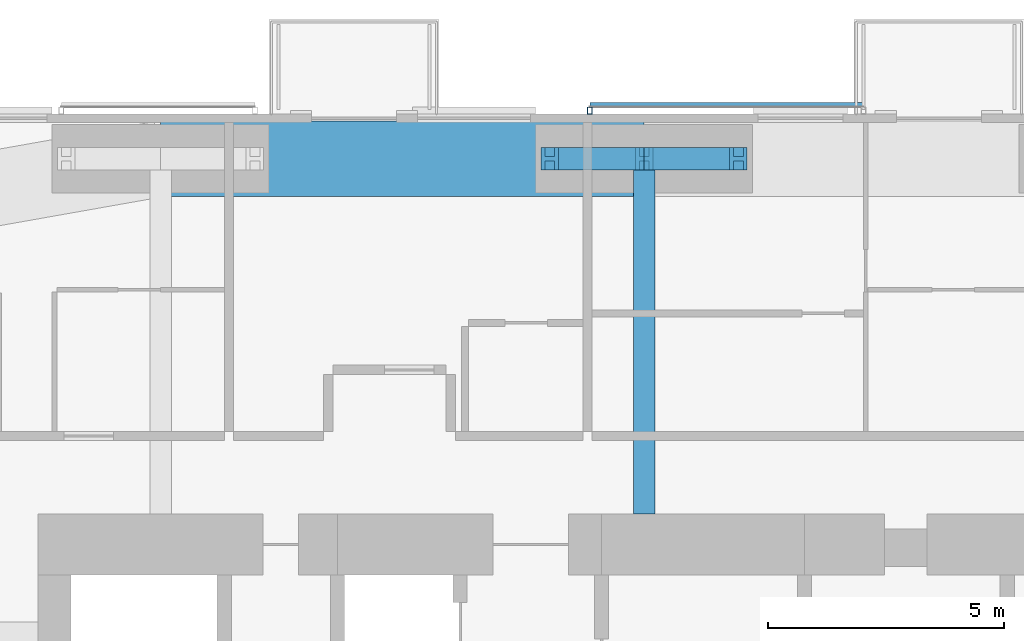
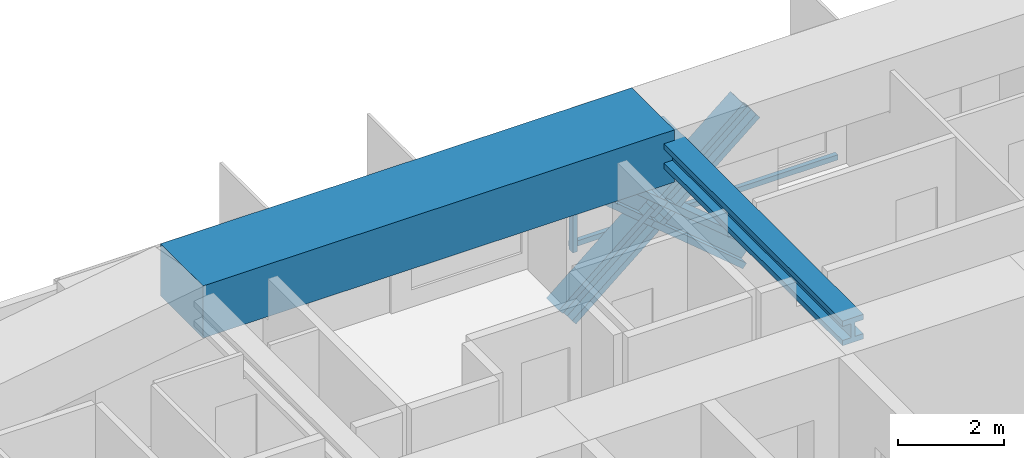
# One storey, part 11 of 23: 6 members, 2 beams, 1 element without a shape of its own.
"""IFC4 building model written with IfcOpenShell, lengths in metres."""

from ifc_helpers import new_model, si_unit, direction, frame, origin, origin_2d, place, context, subcontext, project, spatial, rectangle, hollow_rectangle, i_section, extrude, material, material_profile, profile_set, type_object, element, aggregate, save


model = new_model("IFC4")

# Units and contexts
model_context = context("Model", 3, precision=1e-05, world=origin(), true_north=direction((0.0, 1.0)))
body_context = subcontext(model_context, "Body", "Model", "MODEL_VIEW")
ifc_project = project(units=[si_unit("LENGTHUNIT", "METRE"), si_unit("AREAUNIT", "SQUARE_METRE"), si_unit("VOLUMEUNIT", "CUBIC_METRE"), si_unit("PLANEANGLEUNIT", "RADIAN"), si_unit("MASSUNIT", "GRAM", prefix="KILO")], contexts=[model_context])

# Site, building, storey
site_placement = place(None, origin())
site = spatial("IfcSite", under=ifc_project, at=site_placement, CompositionType="ELEMENT")
building_placement = place(site_placement, origin())
building = spatial("IfcBuilding", under=site, at=building_placement, Name="Jalousie Tower", CompositionType="ELEMENT")
storey_placement = place(building_placement, frame((0.0, 0.0, 171.10009765625)))
storey = spatial("IfcBuildingStorey", under=building, at=storey_placement, Name="L46", CompositionType="ELEMENT", Elevation=171.10009765625)

# Beam
ifc_material_1 = material(Name="Steel ASTM A992 Grade 50", Category="steel")
ifc_material_profile_1 = material_profile(ifc_material_1, i_section(OverallWidth=0.45458984375, OverallDepth=0.569091796875, WebThickness=0.077880859375, FlangeThickness=0.124755859375, at=origin_2d()), Name="W14X730")
ifc_profile_set_1 = profile_set([ifc_material_profile_1], Name="Steel ASTM A992 Grade 50")
beam_type_1 = type_object("IfcBeamType", Name="LEAN COLLECTOR W14X730", PredefinedType="BEAM", material=ifc_profile_set_1)
beam_1_placement = place(storey_placement, frame((32.5, 35.050048828125, 2.825439453125), z_axis=(0.0, -1.0, 0.0), x_axis=(1.0, 0.0, 0.0)))
element("IfcBeam", 1, at=beam_1_placement, inside=storey, type_object=beam_type_1, Name="Lean collector under L47", PredefinedType="BEAM", context=body_context, shape_type="SweptSolid", body=[
    extrude(i_section(OverallWidth=0.45458984375, OverallDepth=0.569091796875, WebThickness=0.077880859375, FlangeThickness=0.124755859375, at=origin_2d()), origin(), (0.0, 0.0, 1.0), 7.525146484375),
])

# Members
ifc_material_2 = material(Name="Steel ASTM A992 Grade 50", Category="steel")
ifc_material_profile_2 = material_profile(ifc_material_2, i_section(OverallWidth=0.472412109375, OverallDepth=0.5791015625, WebThickness=0.094970703125, FlangeThickness=0.1298828125, at=origin_2d()), Name="W14X808")
ifc_profile_set_2 = profile_set([ifc_material_profile_2], Name="Steel ASTM A992 Grade 50")
member_type_1 = type_object("IfcMemberType", Name="PERIMETER BRACE W14X808", PredefinedType="BRACE", material=ifc_profile_set_2)
for number, where, z_axis, x_axis, name in (
    (2, (30.5, 35.050048828125, -0.60009765625), (0.766638753323, 0.0, 0.642078672674), (0.0, 1.0, 0.0), "Perimeter brace 10 L46 part 1"),
    (3, (32.5, 35.050048828125, 1.074951171875), (0.766638753323, 0.0, 0.642078672674), (0.0, 1.0, 0.0), "Perimeter brace 10 L46 part 2"),
    (4, (34.5, 35.050048828125, -0.60009765625), (-0.766638753323, 0.0, 0.642078672674), (0.0, -1.0, 0.0), "Perimeter brace 10 L46 part 3"),
    (5, (32.5, 35.050048828125, 1.074951171875), (-0.766638753323, 0.0, 0.642078672674), (0.0, -1.0, 0.0), "Perimeter brace 10 L46 part 4"),
):
    element("IfcMember", number, at=place(storey_placement, frame(where, z_axis=z_axis, x_axis=x_axis)), inside=storey, type_object=member_type_1, Name=name, PredefinedType="BRACE", context=body_context, shape_type="SweptSolid", body=[
        extrude(i_section(OverallWidth=0.472412109375, OverallDepth=0.5791015625, WebThickness=0.094970703125, FlangeThickness=0.1298828125, at=origin_2d()), origin(), (0.0, 0.0, 1.0), 2.60888671875),
    ])

# Beam
ifc_material_3 = material(Name="Concrete f'c 40 MPa", Category="concrete")
ifc_material_profile_3 = material_profile(ifc_material_3, rectangle(XDim=1.60009765625, YDim=1.199951171875, at=origin_2d()), Name="RC 1600x1200")
ifc_profile_set_3 = profile_set([ifc_material_profile_3], Name="Concrete f'c 40 MPa")
beam_type_2 = type_object("IfcBeamType", Name="RC BEAM 1600x1200", PredefinedType="BEAM", material=ifc_profile_set_3)
beam_2_placement = place(storey_placement, frame((32.5, 35.050048828125, 2.75), z_axis=(-1.0, 0.0, 0.0), x_axis=(0.0, -1.0, 0.0)))
element("IfcBeam", 6, at=beam_2_placement, inside=storey, type_object=beam_type_2, Name="Edge band beam 10-11 under L47", PredefinedType="BEAM", context=body_context, shape_type="SweptSolid", body=[
    extrude(rectangle(XDim=1.60009765625, YDim=1.199951171875, at=origin_2d()), origin(), (0.0, 0.0, 1.0), 10.25),
])

# Curtain wall, members
ifc_material_4 = material(Name="Perforated aluminium sheet", Category="aluminium")
curtain_wall_type = type_object("IfcCurtainWallType", Name="SOLAR SCREEN SS-1", PredefinedType="USERDEFINED", material=ifc_material_4)
curtain_wall_placement = place(storey_placement, origin())
curtain_wall = element("IfcCurtainWall", 7, at=curtain_wall_placement, inside=storey, type_object=curtain_wall_type, Name="Solar screen L46", ObjectType="SOLAR SCREEN SS-1", PredefinedType="USERDEFINED")
ifc_material_5 = material(Name="Steel ASTM A500 Grade C", Category="steel")
ifc_material_profile_4 = material_profile(ifc_material_5, hollow_rectangle(XDim=0.1015625, YDim=0.15234375, WallThickness=0.00634765625, at=origin_2d()), Name="HSS6X4X1/4")
ifc_profile_set_4 = profile_set([ifc_material_profile_4], Name="Steel ASTM A500 Grade C")
member_type_2 = type_object("IfcMemberType", Name="SOLAR SCREEN SS-1 MULLION", PredefinedType="MULLION", material=ifc_profile_set_4)
member_1_placement = place(storey_placement, frame((31.35009765625, 36.0712890625, -0.1201171875), z_axis=(0.0, 0.0, 1.0), x_axis=(-1.0, 0.0, 0.0)))
member_1 = element("IfcMember", 8, at=member_1_placement, type_object=member_type_2, Name="SS1 post 2", PredefinedType="MULLION", context=body_context, shape_type="SweptSolid", body=[
    extrude(hollow_rectangle(XDim=0.1015625, YDim=0.15234375, WallThickness=0.00634765625, at=origin_2d()), origin(), (0.0, 0.0, 1.0), 3.22998046875),
])
ifc_material_6 = material(Name="Extruded aluminium screen rail", Category="aluminium")
ifc_material_profile_5 = material_profile(ifc_material_6, rectangle(XDim=0.1015625, YDim=0.1201171875, at=origin_2d()), Name="RAIL 102x120")
ifc_profile_set_5 = profile_set([ifc_material_profile_5], Name="Extruded aluminium screen rail")
member_type_3 = type_object("IfcMemberType", Name="SOLAR SCREEN SS-1 TRANSOM", PredefinedType="USERDEFINED", material=ifc_profile_set_5)
member_2_placement = place(storey_placement, frame((37.14990234375, 36.1982421875, -0.06005859375), z_axis=(-1.0, 0.0, 0.0), x_axis=(0.0, -1.0, 0.0)))
member_2 = element("IfcMember", 9, at=member_2_placement, type_object=member_type_3, Name="SS1 rail", ObjectType="TRANSOM", PredefinedType="USERDEFINED", context=body_context, shape_type="SweptSolid", body=[
    extrude(rectangle(XDim=0.1015625, YDim=0.1201171875, at=origin_2d()), origin(), (0.0, 0.0, 1.0), 5.7998046875),
])
aggregate(curtain_wall, [member_1, member_2])

save(model, "model.ifc")
